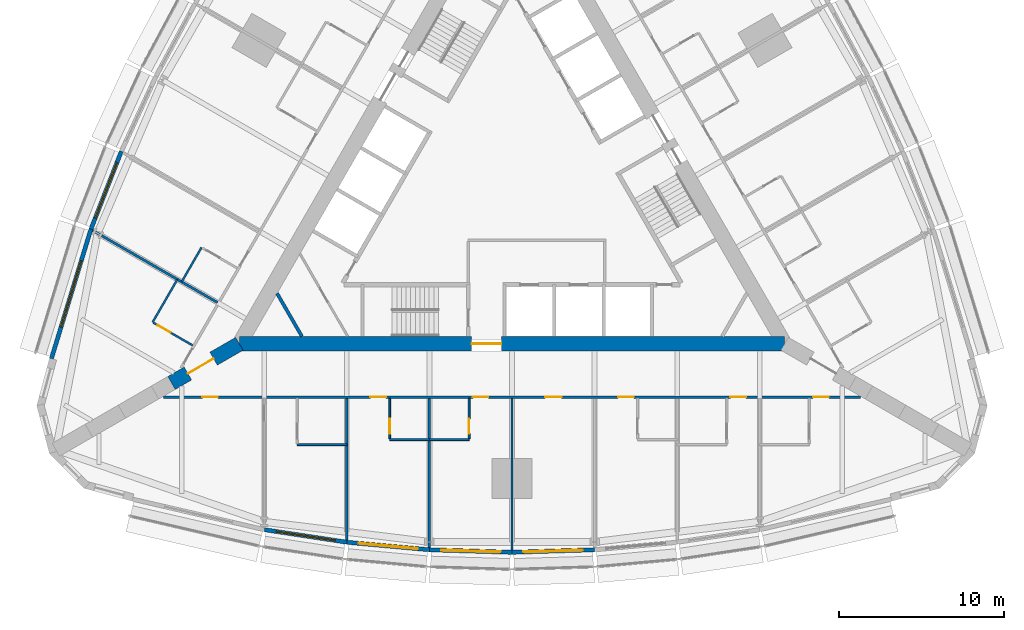
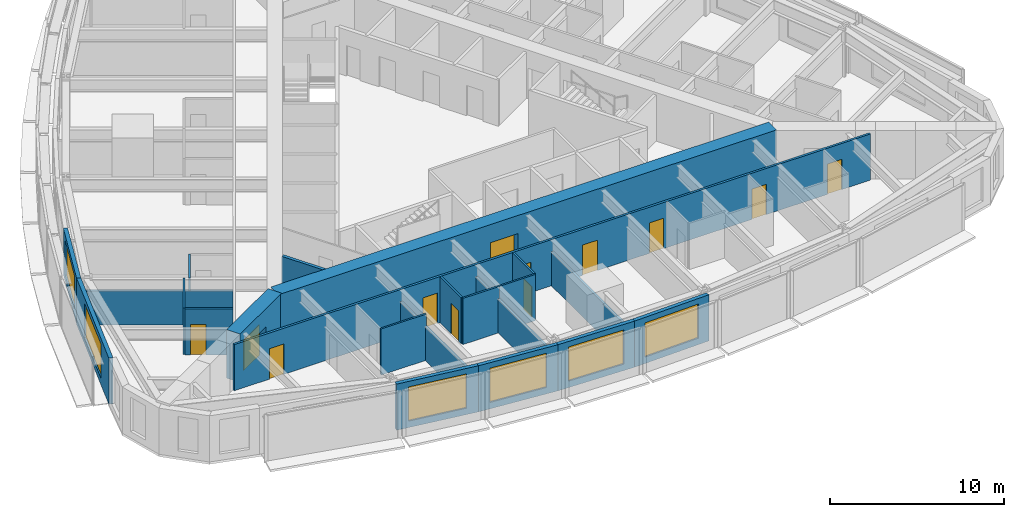
# One storey, part 8 of 14: 22 walls, 12 doors, 6 windows, 18 openings.
"""IFC4 building model written with IfcOpenShell, lengths in metres."""

import ifcopenshell
import ifcopenshell.guid

model = None  # the IFC model being written
_history = None  # IfcOwnerHistory: only IFC2X3 demands one
_inside = {}  # id of a spatial element -> (the spatial element, [elements in it])
_under = {}  # id of a project, library or spatial element -> (it, [spatial elements below it])
_declared = {}  # id of a project -> (the project, [libraries it declares])
_typed = {}  # id of a type object -> (the type object, [elements of that type])
_made_of = {}  # id of a material, layer set ... -> (it, [elements and type objects made of it])


def new_model(schema):
    """Start an empty IFC model of exactly this schema.

    Asked for "IFC4X3", IfcOpenShell would pick the latest addendum, in which some entities
    have other attributes; the version numbers below select the first issue.
    IFC2X3 requires an IfcOwnerHistory on every rooted entity: one is made here for all.
    """
    global model, _history
    if schema == "IFC4X3":
        model = ifcopenshell.file(schema_version=(4, 3, 0, 0))
    else:
        model = ifcopenshell.file(schema=schema)
    _inside.clear()
    _under.clear()
    _declared.clear()
    _typed.clear()
    _made_of.clear()
    _history = None
    if model.schema == "IFC2X3":
        org = make("IfcOrganization", Name="unknown")
        user = make(
            "IfcPersonAndOrganization",
            ThePerson=make("IfcPerson", FamilyName="unknown"),
            TheOrganization=org,
        )
        app = make(
            "IfcApplication",
            ApplicationDeveloper=org,
            Version="unknown",
            ApplicationFullName="unknown",
            ApplicationIdentifier="unknown",
        )
        _history = make(
            "IfcOwnerHistory",
            OwningUser=user,
            OwningApplication=app,
            ChangeAction="ADDED",
            CreationDate=0,
        )
    return model


def make(cls, **values):
    """One entity of the class cls with the attributes given. An attribute that is None is left unset."""
    return model.create_entity(
        cls, **{name: value for name, value in values.items() if value is not None}
    )


def rooted(cls, **values):
    """An entity with a GlobalId (a new one), such as an element, a storey or a relation."""
    return make(cls, GlobalId=ifcopenshell.guid.new(), OwnerHistory=_history, **values)


def si_unit(unit_type, name, prefix=None):
    """IfcSIUnit, for example si_unit("LENGTHUNIT", "METRE", prefix="MILLI")."""
    return make("IfcSIUnit", UnitType=unit_type, Prefix=prefix, Name=name)


def assignment(units):
    """IfcUnitAssignment: the units of a project."""
    return None if units is None else make("IfcUnitAssignment", Units=units)


def point(xyz):
    """IfcCartesianPoint."""
    return None if xyz is None else make("IfcCartesianPoint", Coordinates=xyz)


def direction(xyz):
    """IfcDirection."""
    return None if xyz is None else make("IfcDirection", DirectionRatios=xyz)


def frame(location, z_axis=None, x_axis=None):
    """IfcAxis2Placement3D, a coordinate frame: its origin and axes. An axis left out is left unset."""
    return make(
        "IfcAxis2Placement3D",
        Location=point(location),
        Axis=direction(z_axis),
        RefDirection=direction(x_axis),
    )


def frame_2d(location, x_axis=None):
    """IfcAxis2Placement2D, a coordinate frame in the plane: its origin and x axis."""
    return make(
        "IfcAxis2Placement2D", Location=point(location), RefDirection=direction(x_axis)
    )


def origin():
    """The frame at (0, 0, 0) with its axes left unset."""
    return frame((0.0, 0.0, 0.0))


def place(relative_to, where):
    """IfcLocalPlacement: puts the frame where relative to a parent placement (None: the world)."""
    return make(
        "IfcLocalPlacement", PlacementRelTo=relative_to, RelativePlacement=where
    )


def context(
    kind, dimensions, precision=None, world=None, true_north=None, identifier=None
):
    """IfcGeometricRepresentationContext, for example the 3D "Model" context."""
    return make(
        "IfcGeometricRepresentationContext",
        ContextIdentifier=identifier,
        ContextType=kind,
        CoordinateSpaceDimension=dimensions,
        Precision=precision,
        WorldCoordinateSystem=world,
        TrueNorth=true_north,
    )


def subcontext(parent, identifier, kind, view, scale=None):
    """IfcGeometricRepresentationSubContext, for example "Body" below "Model"."""
    return make(
        "IfcGeometricRepresentationSubContext",
        ContextIdentifier=identifier,
        ContextType=kind,
        ParentContext=parent,
        TargetScale=scale,
        TargetView=view,
    )


def project(units=None, contexts=None):
    """IfcProject with its units and contexts."""
    return rooted(
        "IfcProject",
        Name="project",
        RepresentationContexts=contexts,
        UnitsInContext=assignment(units),
    )


def spatial(cls, under=None, at=None, **own):
    """A site, building, storey or space (cls), placed at a placement, below another one or the project."""
    s = rooted(cls, ObjectPlacement=at, **own)
    if under is not None:
        _under.setdefault(under.id(), (under, []))[1].append(s)
    return s


def profile(cls, at=None, kind="AREA", **sizes):
    """A parametric profile (cls). Its sizes go by their IFC names, for example OverallWidth=200.0."""
    return make(cls, ProfileType=kind, Position=at, **sizes)


def rectangle(**sizes):
    """IfcRectangleProfileDef."""
    return profile("IfcRectangleProfileDef", **sizes)


def extrude(swept, where, along, depth):
    """IfcExtrudedAreaSolid: the profile swept, set in the frame where, extruded along a direction by depth."""
    return make(
        "IfcExtrudedAreaSolid",
        SweptArea=swept,
        Position=where,
        ExtrudedDirection=direction(along),
        Depth=depth,
    )


def shape(context_of_items, identifier, shape_type, items):
    """IfcShapeRepresentation: the items that make up one representation, for example the "Body"."""
    return make(
        "IfcShapeRepresentation",
        ContextOfItems=context_of_items,
        RepresentationIdentifier=identifier,
        RepresentationType=shape_type,
        Items=items,
    )


def material(Name=None, Category=None):
    """IfcMaterial."""
    return make("IfcMaterial", Name=Name, Category=Category)


def layer(
    of_material, thickness, ventilated=None, Name=None, Category=None, Priority=None
):
    """IfcMaterialLayer: one layer of a wall or slab, of a material (None: an air gap)."""
    return make(
        "IfcMaterialLayer",
        Material=of_material,
        LayerThickness=thickness,
        IsVentilated=ventilated,
        Name=Name,
        Category=Category,
        Priority=Priority,
    )


def layer_set(layers, Name=None):
    """IfcMaterialLayerSet."""
    return make("IfcMaterialLayerSet", MaterialLayers=layers, LayerSetName=Name)


def made_of(thing, what):
    """Note that an element or type object is made of a material, layer set ...; save() writes the relation."""
    if what is not None:
        _made_of.setdefault(what.id(), (what, []))[1].append(thing)
    return thing


def type_object(cls, material=None, **own):
    """A type object (cls), such as IfcWallType, which elements share."""
    return made_of(rooted(cls, **own), material)


def element(
    cls,
    number,
    at=None,
    inside=None,
    cuts=None,
    type_object=None,
    material=None,
    context=None,
    identifier="Body",
    shape_type=None,
    held_by="IfcProductDefinitionShape",
    body=None,
    shapes=None,
    **own,
):
    """One element of the class cls, such as IfcWall. Its Tag is "e" and its number.

    at: its placement. inside: the storey or other place that contains it. cuts: it is an
    opening in that element (IfcRelVoidsElement). A single representation is given by context,
    identifier, shape_type and body (its items); several are given by shapes. held_by: the class
    of the entity that holds the representations. save() writes the other relations.
    """
    e = rooted(cls, Tag="e%d" % number, ObjectPlacement=at, **own)
    if body is not None:
        shapes = [shape(context, identifier, shape_type, body)]
    if shapes is not None:
        e.Representation = make(held_by, Representations=shapes)
    if inside is not None:
        _inside.setdefault(inside.id(), (inside, []))[1].append(e)
    if cuts is not None:
        rooted(
            "IfcRelVoidsElement", RelatingBuildingElement=cuts, RelatedOpeningElement=e
        )
    if type_object is not None:
        _typed.setdefault(type_object.id(), (type_object, []))[1].append(e)
    return made_of(e, material)


def fill(opening, filler):
    """IfcRelFillsElement: the door or window that sits in an opening."""
    return rooted(
        "IfcRelFillsElement",
        RelatingOpeningElement=opening,
        RelatedBuildingElement=filler,
    )


def aggregate(whole, parts):
    """IfcRelAggregates: a whole, such as a stair, and the parts it consists of."""
    return rooted("IfcRelAggregates", RelatingObject=whole, RelatedObjects=parts)


def save(model, path):
    """Write the relations noted so far, then the file.

    IfcRelAggregates (storeys below a building ...), IfcRelContainedInSpatialStructure (elements
    in a storey), IfcRelDefinesByType, IfcRelAssociatesMaterial and IfcRelDeclares: one each for
    every whole, place, type object, material and project.
    """
    for whole, parts in _under.values():
        aggregate(whole, parts)
    for where, things in _inside.values():
        rooted(
            "IfcRelContainedInSpatialStructure",
            RelatedElements=things,
            RelatingStructure=where,
        )
    for kind, things in _typed.values():
        rooted("IfcRelDefinesByType", RelatedObjects=things, RelatingType=kind)
    for what, things in _made_of.values():
        rooted("IfcRelAssociatesMaterial", RelatedObjects=things, RelatingMaterial=what)
    for by, libraries in _declared.values():
        rooted("IfcRelDeclares", RelatingContext=by, RelatedDefinitions=libraries)
    model.write(path)


model = new_model("IFC4")

# Units and contexts
model_context = context("Model", 3, precision=1e-05, world=origin(), true_north=direction((0.0, 1.0)))
body_context = subcontext(model_context, "Body", "Model", "MODEL_VIEW")
ifc_project = project(units=[si_unit("LENGTHUNIT", "METRE"), si_unit("AREAUNIT", "SQUARE_METRE"), si_unit("VOLUMEUNIT", "CUBIC_METRE"), si_unit("PLANEANGLEUNIT", "RADIAN"), si_unit("MASSUNIT", "GRAM", prefix="KILO")], contexts=[model_context])

# Site, building, storey
site_placement = place(None, origin())
site = spatial("IfcSite", under=ifc_project, at=site_placement, CompositionType="ELEMENT")
building_placement = place(site_placement, origin())
building = spatial("IfcBuilding", under=site, at=building_placement, Name="Trikona Tower", CompositionType="ELEMENT")
storey_placement = place(building_placement, frame((0.0, 0.0, 28.5)))
storey = spatial("IfcBuildingStorey", under=building, at=storey_placement, Name="L05", CompositionType="ELEMENT", Elevation=28.5)

# Walls
ifc_material_1 = material(Name="Metal stud and cement board", Category="gypsum")
ifc_layer_1 = layer(ifc_material_1, 0.1201171875)
ifc_layer_set_1 = layer_set([ifc_layer_1], Name="Bathroom wall 120")
wall_type_1 = type_object("IfcWallType", Name="Bathroom wall 120", PredefinedType="PLUMBINGWALL", material=ifc_layer_set_1)
wall_1_placement = place(storey_placement, frame((-13.0, -15.626220703125, 0.0), z_axis=(0.0, 0.0, 1.0), x_axis=(1.0, 0.0, 0.0)))
element("IfcWall", 1, at=wall_1_placement, inside=storey, type_object=wall_type_1, Name="Bathroom wall 0501.1", PredefinedType="PLUMBINGWALL", context=body_context, shape_type="SweptSolid", body=[
    extrude(rectangle(XDim=3.0, YDim=0.1201171875, at=frame_2d((1.5, 0.0))), origin(), (0.0, 0.0, 1.0), 3.235107421875),
])
wall_2_placement = place(storey_placement, frame((-7.39990234375, -15.326416015625, 0.0), z_axis=(0.0, 0.0, 1.0), x_axis=(1.0, 0.0, 0.0)))
element("IfcWall", 2, at=wall_2_placement, inside=storey, type_object=wall_type_1, Name="Bathroom wall 0502", PredefinedType="PLUMBINGWALL", context=body_context, shape_type="SweptSolid", body=[
    extrude(rectangle(XDim=2.39990234375, YDim=0.1201171875, at=frame_2d((1.199951171875, 0.0))), origin(), (0.0, 0.0, 1.0), 3.235107421875),
])

# Wall, opening, door
wall_3_placement = place(storey_placement, frame((-7.39990234375, -12.826416015625, 0.0), z_axis=(0.0, 0.0, 1.0), x_axis=(0.0, -1.0, 0.0)))
wall_3 = element("IfcWall", 3, at=wall_3_placement, inside=storey, type_object=wall_type_1, Name="Bathroom wall 0502", PredefinedType="PLUMBINGWALL", context=body_context, shape_type="SweptSolid", body=[
    extrude(rectangle(XDim=2.43994140625, YDim=0.1201171875, at=frame_2d((1.219970703125, 0.0))), origin(), (0.0, 0.0, 1.0), 3.235107421875),
])
opening_1_placement = place(wall_3_placement, frame((1.25, 0.0, 0.0)))
opening_1 = element("IfcOpeningElement", 4, at=opening_1_placement, cuts=wall_3, Name="Opening D2", PredefinedType="OPENING", context=body_context, shape_type="SweptSolid", body=[
    extrude(rectangle(XDim=0.89990234375, YDim=2.1298828125, at=frame_2d((0.449951171875, 1.06494140625))), frame((0.0, 0.070068359375, 0.0), z_axis=(0.0, -1.0, 0.0), x_axis=(1.0, 0.0, 0.0)), (0.0, 0.0, 1.0), 0.14013671875),
])
ifc_material_2 = material(Name="Steel door frame with solid-core timber leaf", Category="steel")
door_type_1 = type_object("IfcDoorType", Name="Bathroom door 900x2130", OperationType="SLIDING_TO_LEFT", PredefinedType="DOOR", material=ifc_material_2)
door_1_placement = place(opening_1_placement, origin())
door_1 = element("IfcDoor", 5, at=door_1_placement, inside=storey, type_object=door_type_1, Name="Bathroom door 0502", OperationType="SLIDING_TO_LEFT", OverallHeight=2.1298828125, OverallWidth=0.89990234375, PredefinedType="DOOR", context=body_context, shape_type="SweptSolid", body=[
    extrude(rectangle(XDim=0.89990234375, YDim=2.1298828125, at=frame_2d((0.449951171875, 1.06494140625))), frame((0.0, 0.02490234375, 0.0), z_axis=(0.0, -1.0, 0.0), x_axis=(1.0, 0.0, 0.0)), (0.0, 0.0, 1.0), 0.050048828125),
])
fill(opening_1, door_1)

# Wall
wall_4_placement = place(storey_placement, frame((-5.0, -15.326416015625, 0.0), z_axis=(0.0, 0.0, 1.0), x_axis=(1.0, 0.0, 0.0)))
element("IfcWall", 6, at=wall_4_placement, inside=storey, type_object=wall_type_1, Name="Bathroom wall 0503", PredefinedType="PLUMBINGWALL", context=body_context, shape_type="SweptSolid", body=[
    extrude(rectangle(XDim=2.39990234375, YDim=0.1201171875, at=frame_2d((1.199951171875, 0.0))), origin(), (0.0, 0.0, 1.0), 3.235107421875),
])

# Wall, opening, door
wall_5_placement = place(storey_placement, frame((-2.60009765625, -12.826416015625, 0.0), z_axis=(0.0, 0.0, 1.0), x_axis=(0.0, -1.0, 0.0)))
wall_5 = element("IfcWall", 7, at=wall_5_placement, inside=storey, type_object=wall_type_1, Name="Bathroom wall 0503", PredefinedType="PLUMBINGWALL", context=body_context, shape_type="SweptSolid", body=[
    extrude(rectangle(XDim=2.43994140625, YDim=0.1201171875, at=frame_2d((1.219970703125, 0.0))), origin(), (0.0, 0.0, 1.0), 3.235107421875),
])
opening_2_placement = place(wall_5_placement, frame((1.25, 0.0, 0.0)))
opening_2 = element("IfcOpeningElement", 8, at=opening_2_placement, cuts=wall_5, Name="Opening D2", PredefinedType="OPENING", context=body_context, shape_type="SweptSolid", body=[
    extrude(rectangle(XDim=0.89990234375, YDim=2.1298828125, at=frame_2d((0.449951171875, 1.06494140625))), frame((0.0, 0.070068359375, 0.0), z_axis=(0.0, -1.0, 0.0), x_axis=(1.0, 0.0, 0.0)), (0.0, 0.0, 1.0), 0.14013671875),
])
door_2_placement = place(opening_2_placement, origin())
door_2 = element("IfcDoor", 9, at=door_2_placement, inside=storey, type_object=door_type_1, Name="Bathroom door 0503", OperationType="SLIDING_TO_LEFT", OverallHeight=2.1298828125, OverallWidth=0.89990234375, PredefinedType="DOOR", context=body_context, shape_type="SweptSolid", body=[
    extrude(rectangle(XDim=0.89990234375, YDim=2.1298828125, at=frame_2d((0.449951171875, 1.06494140625))), frame((0.0, 0.02490234375, 0.0), z_axis=(0.0, -1.0, 0.0), x_axis=(1.0, 0.0, 0.0)), (0.0, 0.0, 1.0), 0.050048828125),
])
fill(opening_2, door_2)

# Walls
wall_6_placement = place(storey_placement, frame((-18.79345703125, -3.69873046875, 0.0), z_axis=(0.0, 0.0, 1.0), x_axis=(-0.500001309137, -0.866024647952, 0.0)))
element("IfcWall", 10, at=wall_6_placement, inside=storey, type_object=wall_type_1, Name="Bathroom wall 0517", PredefinedType="PLUMBINGWALL", context=body_context, shape_type="SweptSolid", body=[
    extrude(rectangle(XDim=2.39990234375, YDim=0.1201171875, at=frame_2d((1.199951171875, 0.0))), origin(), (0.0, 0.0, 1.0), 3.235107421875),
])
wall_7_placement = place(storey_placement, frame((-20.25341796875, -5.627197265625, 0.0), z_axis=(0.0, 0.0, 1.0), x_axis=(-0.499990139034, -0.866031096941, 0.0)))
element("IfcWall", 11, at=wall_7_placement, inside=storey, type_object=wall_type_1, Name="Bathroom wall 0518", PredefinedType="PLUMBINGWALL", context=body_context, shape_type="SweptSolid", body=[
    extrude(rectangle(XDim=3.0, YDim=0.1201171875, at=frame_2d((1.5, 0.0))), origin(), (0.0, 0.0, 1.0), 3.235107421875),
])

# Wall, opening, door
wall_8_placement = place(storey_placement, frame((-19.32861328125, -9.625244140625, 0.0), z_axis=(0.0, 0.0, 1.0), x_axis=(-0.866035715982, 0.499982138324, 0.0)))
wall_8 = element("IfcWall", 12, at=wall_8_placement, inside=storey, type_object=wall_type_1, Name="Bathroom wall 0518", PredefinedType="PLUMBINGWALL", context=body_context, shape_type="SweptSolid", body=[
    extrude(rectangle(XDim=2.73974609375, YDim=0.1201171875, at=frame_2d((1.369873046875, 0.0))), origin(), (0.0, 0.0, 1.0), 3.235107421875),
])
opening_3_placement = place(wall_8_placement, frame((1.550048828125, 0.0, 0.0)))
opening_3 = element("IfcOpeningElement", 13, at=opening_3_placement, cuts=wall_8, Name="Opening D2", PredefinedType="OPENING", context=body_context, shape_type="SweptSolid", body=[
    extrude(rectangle(XDim=0.89990234375, YDim=2.1298828125, at=frame_2d((0.449951171875, 1.06494140625))), frame((0.0, 0.070068359375, 0.0), z_axis=(0.0, -1.0, 0.0), x_axis=(1.0, 0.0, 0.0)), (0.0, 0.0, 1.0), 0.14013671875),
])
door_3_placement = place(opening_3_placement, origin())
door_3 = element("IfcDoor", 14, at=door_3_placement, inside=storey, type_object=door_type_1, Name="Bathroom door 0518", OperationType="SLIDING_TO_LEFT", OverallHeight=2.1298828125, OverallWidth=0.89990234375, PredefinedType="DOOR", context=body_context, shape_type="SweptSolid", body=[
    extrude(rectangle(XDim=0.89990234375, YDim=2.1298828125, at=frame_2d((0.449951171875, 1.06494140625))), frame((0.0, 0.02490234375, 0.0), z_axis=(0.0, -1.0, 0.0), x_axis=(1.0, 0.0, 0.0)), (0.0, 0.0, 1.0), 0.050048828125),
])
fill(opening_3, door_3)

ifc_material_3 = material(Name="Concrete f'c 10000 psi", Category="concrete")
ifc_layer_2 = layer(ifc_material_3, 0.89990234375)
ifc_layer_set_2 = layer_set([ifc_layer_2], Name="Buttress wall 900")
wall_type_2 = type_object("IfcWallType", Name="Buttress wall 900", PredefinedType="SHEAR", material=ifc_layer_set_2)
wall_9_placement = place(storey_placement, frame((-16.5, -9.5263671875, 0.0), z_axis=(0.0, 0.0, 1.0), x_axis=(-0.866031398331, -0.499989616998, 0.0)))
wall_9 = element("IfcWall", 15, at=wall_9_placement, inside=storey, type_object=wall_type_2, Name="Buttress wall 3", PredefinedType="SHEAR", context=body_context, shape_type="SweptSolid", body=[
    extrude(rectangle(XDim=4.74609375, YDim=0.89990234375, at=frame_2d((2.373046875, 0.0))), origin(), (0.0, 0.0, 1.0), 3.39990234375),
])
opening_4_placement = place(wall_9_placement, frame((1.800048828125, 0.0, 0.0)))
opening_4 = element("IfcOpeningElement", 16, at=opening_4_placement, cuts=wall_9, Name="Opening D10", PredefinedType="OPENING", context=body_context, shape_type="SweptSolid", body=[
    extrude(rectangle(XDim=1.800048828125, YDim=2.1298828125, at=frame_2d((0.89990234375, 1.06494140625))), frame((0.0, 0.4599609375, 0.0), z_axis=(0.0, -1.0, 0.0), x_axis=(1.0, 0.0, 0.0)), (0.0, 0.0, 1.0), 0.919921875),
])
ifc_material_4 = material(Name="Hollow metal door and frame", Category="steel")
door_type_2 = type_object("IfcDoorType", Name="Cross-corridor door pair 1800x2130", OperationType="DOUBLE_DOOR_DOUBLE_SWING", PredefinedType="DOOR", material=ifc_material_4)
door_4_placement = place(opening_4_placement, origin())
door_4 = element("IfcDoor", 17, at=door_4_placement, inside=storey, type_object=door_type_2, Name="Cross-corridor door 3", OperationType="DOUBLE_DOOR_DOUBLE_SWING", OverallHeight=2.1298828125, OverallWidth=1.800048828125, PredefinedType="DOOR", context=body_context, shape_type="SweptSolid", body=[
    extrude(rectangle(XDim=1.800048828125, YDim=2.1298828125, at=frame_2d((0.89990234375, 1.06494140625))), frame((0.0, 0.02490234375, 0.0), z_axis=(0.0, -1.0, 0.0), x_axis=(1.0, 0.0, 0.0)), (0.0, 0.0, 1.0), 0.050048828125),
])
fill(opening_4, door_4)

ifc_material_5 = material(Name="Concrete f'c 10000 psi", Category="concrete")
ifc_layer_3 = layer(ifc_material_5, 0.89990234375)
ifc_layer_set_3 = layer_set([ifc_layer_3], Name="Core wall 900")
wall_type_3 = type_object("IfcWallType", Name="Core wall 900", PredefinedType="SHEAR", material=ifc_layer_set_3)
wall_10_placement = place(storey_placement, frame((-16.5, -9.5263671875, 0.0), z_axis=(0.0, 0.0, 1.0), x_axis=(1.0, 0.0, 0.0)))
wall_10 = element("IfcWall", 18, at=wall_10_placement, inside=storey, type_object=wall_type_3, Name="Core wall A", PredefinedType="SHEAR", context=body_context, shape_type="SweptSolid", body=[
    extrude(rectangle(XDim=33.0, YDim=0.89990234375, at=frame_2d((16.5, 0.0))), origin(), (0.0, 0.0, 1.0), 3.39990234375),
])
opening_5_placement = place(wall_10_placement, frame((14.050048828125, 0.0, 0.0)))
opening_5 = element("IfcOpeningElement", 19, at=opening_5_placement, cuts=wall_10, Name="Opening D6", PredefinedType="OPENING", context=body_context, shape_type="SweptSolid", body=[
    extrude(rectangle(XDim=1.800048828125, YDim=2.1298828125, at=frame_2d((0.89990234375, 1.06494140625))), frame((0.0, 0.4599609375, 0.0), z_axis=(0.0, -1.0, 0.0), x_axis=(1.0, 0.0, 0.0)), (0.0, 0.0, 1.0), 0.919921875),
])
ifc_material_6 = material(Name="Hollow metal door and frame", Category="steel")
door_type_3 = type_object("IfcDoorType", Name="Lobby door pair 1800x2130", OperationType="DOUBLE_DOOR_SINGLE_SWING", PredefinedType="DOOR", material=ifc_material_6)
door_5_placement = place(opening_5_placement, origin())
door_5 = element("IfcDoor", 20, at=door_5_placement, inside=storey, type_object=door_type_3, Name="Fire service lift lobby door", OperationType="DOUBLE_DOOR_SINGLE_SWING", OverallHeight=2.1298828125, OverallWidth=1.800048828125, PredefinedType="DOOR", context=body_context, shape_type="SweptSolid", body=[
    extrude(rectangle(XDim=1.800048828125, YDim=2.1298828125, at=frame_2d((0.89990234375, 1.06494140625))), frame((0.0, 0.02490234375, 0.0), z_axis=(0.0, -1.0, 0.0), x_axis=(1.0, 0.0, 0.0)), (0.0, 0.0, 1.0), 0.050048828125),
])
fill(opening_5, door_5)

# Wall, openings, doors
ifc_material_7 = material(Name="Metal stud and gypsum board, 1-hour", Category="gypsum")
ifc_layer_4 = layer(ifc_material_7, 0.14990234375)
ifc_layer_set_4 = layer_set([ifc_layer_4], Name="Corridor wall 150")
wall_type_4 = type_object("IfcWallType", Name="Corridor wall 150", PredefinedType="PARTITIONING", material=ifc_layer_set_4)
wall_11_placement = place(storey_placement, frame((-21.0859375, -12.751220703125, 0.0), z_axis=(0.0, 0.0, 1.0), x_axis=(1.0, 0.0, 0.0)))
wall_11 = element("IfcWall", 21, at=wall_11_placement, inside=storey, type_object=wall_type_4, Name="Corridor wall L05-1", PredefinedType="PARTITIONING", context=body_context, shape_type="SweptSolid", body=[
    extrude(rectangle(XDim=42.171875, YDim=0.14990234375, at=frame_2d((21.0859375, 0.0))), origin(), (0.0, 0.0, 1.0), 3.235107421875),
])
opening_6_placement = place(wall_11_placement, frame((2.337646484375, 0.0, 0.0)))
opening_6 = element("IfcOpeningElement", 22, at=opening_6_placement, cuts=wall_11, Name="Opening D1", PredefinedType="OPENING", context=body_context, shape_type="SweptSolid", body=[
    extrude(rectangle(XDim=0.949951171875, YDim=2.1298828125, at=frame_2d((0.47509765625, 1.06494140625))), frame((0.0, 0.0849609375, 0.0), z_axis=(0.0, -1.0, 0.0), x_axis=(1.0, 0.0, 0.0)), (0.0, 0.0, 1.0), 0.169921875),
])
opening_7_placement = place(wall_11_placement, frame((12.510986328125, 0.0, 0.0)))
opening_7 = element("IfcOpeningElement", 23, at=opening_7_placement, cuts=wall_11, Name="Opening D1", PredefinedType="OPENING", context=body_context, shape_type="SweptSolid", body=[
    extrude(rectangle(XDim=0.949951171875, YDim=2.1298828125, at=frame_2d((0.47509765625, 1.06494140625))), frame((0.0, 0.0849609375, 0.0), z_axis=(0.0, -1.0, 0.0), x_axis=(1.0, 0.0, 0.0)), (0.0, 0.0, 1.0), 0.169921875),
])
opening_8_placement = place(wall_11_placement, frame((18.7109375, 0.0, 0.0)))
opening_8 = element("IfcOpeningElement", 24, at=opening_8_placement, cuts=wall_11, Name="Opening D1", PredefinedType="OPENING", context=body_context, shape_type="SweptSolid", body=[
    extrude(rectangle(XDim=0.949951171875, YDim=2.1298828125, at=frame_2d((0.47509765625, 1.06494140625))), frame((0.0, 0.0849609375, 0.0), z_axis=(0.0, -1.0, 0.0), x_axis=(1.0, 0.0, 0.0)), (0.0, 0.0, 1.0), 0.169921875),
])
opening_9_placement = place(wall_11_placement, frame((23.0859375, 0.0, 0.0)))
opening_9 = element("IfcOpeningElement", 25, at=opening_9_placement, cuts=wall_11, Name="Opening D3", PredefinedType="OPENING", context=body_context, shape_type="SweptSolid", body=[
    extrude(rectangle(XDim=1.0, YDim=2.1298828125, at=frame_2d((0.5, 1.06494140625))), frame((0.0, 0.0849609375, 0.0), z_axis=(0.0, -1.0, 0.0), x_axis=(1.0, 0.0, 0.0)), (0.0, 0.0, 1.0), 0.169921875),
])
opening_10_placement = place(wall_11_placement, frame((27.510986328125, 0.0, 0.0)))
opening_10 = element("IfcOpeningElement", 26, at=opening_10_placement, cuts=wall_11, Name="Opening D1", PredefinedType="OPENING", context=body_context, shape_type="SweptSolid", body=[
    extrude(rectangle(XDim=0.949951171875, YDim=2.1298828125, at=frame_2d((0.47509765625, 1.06494140625))), frame((0.0, 0.0849609375, 0.0), z_axis=(0.0, -1.0, 0.0), x_axis=(1.0, 0.0, 0.0)), (0.0, 0.0, 1.0), 0.169921875),
])
opening_11_placement = place(wall_11_placement, frame((34.310791015625, 0.0, 0.0)))
opening_11 = element("IfcOpeningElement", 27, at=opening_11_placement, cuts=wall_11, Name="Opening D1", PredefinedType="OPENING", context=body_context, shape_type="SweptSolid", body=[
    extrude(rectangle(XDim=0.949951171875, YDim=2.1298828125, at=frame_2d((0.47509765625, 1.06494140625))), frame((0.0, 0.0849609375, 0.0), z_axis=(0.0, -1.0, 0.0), x_axis=(1.0, 0.0, 0.0)), (0.0, 0.0, 1.0), 0.169921875),
])
opening_12_placement = place(wall_11_placement, frame((39.310791015625, 0.0, 0.0)))
opening_12 = element("IfcOpeningElement", 28, at=opening_12_placement, cuts=wall_11, Name="Opening D1", PredefinedType="OPENING", context=body_context, shape_type="SweptSolid", body=[
    extrude(rectangle(XDim=0.949951171875, YDim=2.1298828125, at=frame_2d((0.47509765625, 1.06494140625))), frame((0.0, 0.0849609375, 0.0), z_axis=(0.0, -1.0, 0.0), x_axis=(1.0, 0.0, 0.0)), (0.0, 0.0, 1.0), 0.169921875),
])
ifc_material_8 = material(Name="Steel door frame with solid-core timber leaf", Category="steel")
door_type_4 = type_object("IfcDoorType", Name="Guest room door 950x2130", OperationType="SINGLE_SWING_LEFT", PredefinedType="DOOR", material=ifc_material_8)
door_6_placement = place(opening_6_placement, origin())
door_6 = element("IfcDoor", 29, at=door_6_placement, inside=storey, type_object=door_type_4, Name="Room door 0501", OperationType="SINGLE_SWING_LEFT", OverallHeight=2.1298828125, OverallWidth=0.949951171875, PredefinedType="DOOR", context=body_context, shape_type="SweptSolid", body=[
    extrude(rectangle(XDim=0.949951171875, YDim=2.1298828125, at=frame_2d((0.47509765625, 1.06494140625))), frame((0.0, 0.02490234375, 0.0), z_axis=(0.0, -1.0, 0.0), x_axis=(1.0, 0.0, 0.0)), (0.0, 0.0, 1.0), 0.050048828125),
])
fill(opening_6, door_6)
door_7_placement = place(opening_7_placement, origin())
door_7 = element("IfcDoor", 30, at=door_7_placement, inside=storey, type_object=door_type_4, Name="Room door 0502", OperationType="SINGLE_SWING_RIGHT", OverallHeight=2.1298828125, OverallWidth=0.949951171875, PredefinedType="DOOR", context=body_context, shape_type="SweptSolid", body=[
    extrude(rectangle(XDim=0.949951171875, YDim=2.1298828125, at=frame_2d((0.47509765625, 1.06494140625))), frame((0.0, 0.02490234375, 0.0), z_axis=(0.0, -1.0, 0.0), x_axis=(1.0, 0.0, 0.0)), (0.0, 0.0, 1.0), 0.050048828125),
])
fill(opening_7, door_7)
door_8_placement = place(opening_8_placement, origin())
door_8 = element("IfcDoor", 31, at=door_8_placement, inside=storey, type_object=door_type_4, Name="Room door 0503", OperationType="SINGLE_SWING_LEFT", OverallHeight=2.1298828125, OverallWidth=0.949951171875, PredefinedType="DOOR", context=body_context, shape_type="SweptSolid", body=[
    extrude(rectangle(XDim=0.949951171875, YDim=2.1298828125, at=frame_2d((0.47509765625, 1.06494140625))), frame((0.0, 0.02490234375, 0.0), z_axis=(0.0, -1.0, 0.0), x_axis=(1.0, 0.0, 0.0)), (0.0, 0.0, 1.0), 0.050048828125),
])
fill(opening_8, door_8)
door_9_placement = place(opening_10_placement, origin())
door_9 = element("IfcDoor", 32, at=door_9_placement, inside=storey, type_object=door_type_4, Name="Room door 0504", OperationType="SINGLE_SWING_LEFT", OverallHeight=2.1298828125, OverallWidth=0.949951171875, PredefinedType="DOOR", context=body_context, shape_type="SweptSolid", body=[
    extrude(rectangle(XDim=0.949951171875, YDim=2.1298828125, at=frame_2d((0.47509765625, 1.06494140625))), frame((0.0, 0.02490234375, 0.0), z_axis=(0.0, -1.0, 0.0), x_axis=(1.0, 0.0, 0.0)), (0.0, 0.0, 1.0), 0.050048828125),
])
fill(opening_10, door_9)
door_10_placement = place(opening_11_placement, origin())
door_10 = element("IfcDoor", 33, at=door_10_placement, inside=storey, type_object=door_type_4, Name="Room door 0505", OperationType="SINGLE_SWING_RIGHT", OverallHeight=2.1298828125, OverallWidth=0.949951171875, PredefinedType="DOOR", context=body_context, shape_type="SweptSolid", body=[
    extrude(rectangle(XDim=0.949951171875, YDim=2.1298828125, at=frame_2d((0.47509765625, 1.06494140625))), frame((0.0, 0.02490234375, 0.0), z_axis=(0.0, -1.0, 0.0), x_axis=(1.0, 0.0, 0.0)), (0.0, 0.0, 1.0), 0.050048828125),
])
fill(opening_11, door_10)
door_11_placement = place(opening_12_placement, origin())
door_11 = element("IfcDoor", 34, at=door_11_placement, inside=storey, type_object=door_type_4, Name="Room door 0506", OperationType="SINGLE_SWING_RIGHT", OverallHeight=2.1298828125, OverallWidth=0.949951171875, PredefinedType="DOOR", context=body_context, shape_type="SweptSolid", body=[
    extrude(rectangle(XDim=0.949951171875, YDim=2.1298828125, at=frame_2d((0.47509765625, 1.06494140625))), frame((0.0, 0.02490234375, 0.0), z_axis=(0.0, -1.0, 0.0), x_axis=(1.0, 0.0, 0.0)), (0.0, 0.0, 1.0), 0.050048828125),
])
fill(opening_12, door_11)
ifc_material_9 = material(Name="Steel door frame with solid-core timber leaf", Category="steel")
door_type_5 = type_object("IfcDoorType", Name="Room door 1000x2130", OperationType="SINGLE_SWING_LEFT", PredefinedType="DOOR", material=ifc_material_9)
door_12_placement = place(opening_9_placement, origin())
door_12 = element("IfcDoor", 35, at=door_12_placement, inside=storey, type_object=door_type_5, Name="Door Housekeeping pantry", OperationType="SINGLE_SWING_RIGHT", OverallHeight=2.1298828125, OverallWidth=1.0, PredefinedType="DOOR", context=body_context, shape_type="SweptSolid", body=[
    extrude(rectangle(XDim=1.0, YDim=2.1298828125, at=frame_2d((0.5, 1.06494140625))), frame((0.0, 0.02490234375, 0.0), z_axis=(0.0, -1.0, 0.0), x_axis=(1.0, 0.0, 0.0)), (0.0, 0.0, 1.0), 0.050048828125),
])
fill(opening_9, door_12)

# Wall, opening, window
ifc_material_10 = material(Name="Insulated precast concrete spandrel panel", Category="concrete")
ifc_layer_5 = layer(ifc_material_10, 0.25)
ifc_layer_set_5 = layer_set([ifc_layer_5], Name="Inner skin wall 250")
wall_type_5 = type_object("IfcWallType", Name="Inner skin wall 250", PredefinedType="STANDARD", material=ifc_layer_set_5)
wall_12_placement = place(storey_placement, frame((-14.981201171875, -20.779296875, 0.0), z_axis=(0.0, 0.0, 1.0), x_axis=(0.988615403399, -0.150464561152, 0.0)))
wall_12 = element("IfcWall", 36, at=wall_12_placement, inside=storey, type_object=wall_type_5, Name="External wall L05-01", PredefinedType="STANDARD", context=body_context, shape_type="SweptSolid", body=[
    extrude(rectangle(XDim=5.0576171875, YDim=0.25, at=frame_2d((2.52880859375, 0.0))), origin(), (0.0, 0.0, 1.0), 3.235107421875),
])
opening_13_placement = place(wall_12_placement, frame((0.728759765625, 0.0, 0.449951171875)))
opening_13 = element("IfcOpeningElement", 37, at=opening_13_placement, cuts=wall_12, Name="Opening W3624", PredefinedType="OPENING", context=body_context, shape_type="SweptSolid", body=[
    extrude(rectangle(XDim=3.60009765625, YDim=2.39990234375, at=frame_2d((1.800048828125, 1.199951171875))), frame((0.0, 0.135009765625, 0.0), z_axis=(0.0, -1.0, 0.0), x_axis=(1.0, 0.0, 0.0)), (0.0, 0.0, 1.0), 0.27001953125),
])
ifc_material_11 = material(Name="Aluminium-framed double glazing", Category="aluminium")
window_type_1 = type_object("IfcWindowType", Name="Window 3600x2400", PartitioningType="SINGLE_PANEL", PredefinedType="WINDOW", material=ifc_material_11)
window_1_placement = place(opening_13_placement, origin())
window_1 = element("IfcWindow", 38, at=window_1_placement, inside=storey, type_object=window_type_1, Name="Window 0501.1", OverallHeight=2.39990234375, OverallWidth=3.60009765625, PartitioningType="SINGLE_PANEL", PredefinedType="WINDOW", context=body_context, shape_type="SweptSolid", body=[
    extrude(rectangle(XDim=3.60009765625, YDim=2.39990234375, at=frame_2d((1.800048828125, 1.199951171875))), frame((0.0, 0.030029296875, 0.0), z_axis=(0.0, -1.0, 0.0), x_axis=(1.0, 0.0, 0.0)), (0.0, 0.0, 1.0), 0.06005859375),
])
fill(opening_13, window_1)

wall_13_placement = place(storey_placement, frame((-9.988525390625, -21.539306640625, 0.0), z_axis=(0.0, 0.0, 1.0), x_axis=(0.995857256774, -0.090930325692, 0.0)))
wall_13 = element("IfcWall", 39, at=wall_13_placement, inside=storey, type_object=wall_type_5, Name="External wall L05-02", PredefinedType="STANDARD", context=body_context, shape_type="SweptSolid", body=[
    extrude(rectangle(XDim=5.020751953125, YDim=0.25, at=frame_2d((2.51025390625, 0.0))), origin(), (0.0, 0.0, 1.0), 3.235107421875),
])
opening_14_placement = place(wall_13_placement, frame((0.71044921875, 0.0, 0.449951171875)))
opening_14 = element("IfcOpeningElement", 40, at=opening_14_placement, cuts=wall_13, Name="Opening W3624", PredefinedType="OPENING", context=body_context, shape_type="SweptSolid", body=[
    extrude(rectangle(XDim=3.60009765625, YDim=2.39990234375, at=frame_2d((1.800048828125, 1.199951171875))), frame((0.0, 0.135009765625, 0.0), z_axis=(0.0, -1.0, 0.0), x_axis=(1.0, 0.0, 0.0)), (0.0, 0.0, 1.0), 0.27001953125),
])
window_2_placement = place(opening_14_placement, origin())
window_2 = element("IfcWindow", 41, at=window_2_placement, inside=storey, type_object=window_type_1, Name="Window 0502", OverallHeight=2.39990234375, OverallWidth=3.60009765625, PartitioningType="SINGLE_PANEL", PredefinedType="WINDOW", context=body_context, shape_type="SweptSolid", body=[
    extrude(rectangle(XDim=3.60009765625, YDim=2.39990234375, at=frame_2d((1.800048828125, 1.199951171875))), frame((0.0, 0.030029296875, 0.0), z_axis=(0.0, -1.0, 0.0), x_axis=(1.0, 0.0, 0.0)), (0.0, 0.0, 1.0), 0.06005859375),
])
fill(opening_14, window_2)

wall_14_placement = place(storey_placement, frame((-4.99609375, -21.99560546875, 0.0), z_axis=(0.0, 0.0, 1.0), x_axis=(0.999537635046, -0.030405856769, 0.0)))
wall_14 = element("IfcWall", 42, at=wall_14_placement, inside=storey, type_object=wall_type_5, Name="External wall L05-03", PredefinedType="STANDARD", context=body_context, shape_type="SweptSolid", body=[
    extrude(rectangle(XDim=5.002197265625, YDim=0.25, at=frame_2d((2.5009765625, 0.0))), origin(), (0.0, 0.0, 1.0), 3.235107421875),
])
opening_15_placement = place(wall_14_placement, frame((0.701171875, 0.0, 0.449951171875)))
opening_15 = element("IfcOpeningElement", 43, at=opening_15_placement, cuts=wall_14, Name="Opening W3624", PredefinedType="OPENING", context=body_context, shape_type="SweptSolid", body=[
    extrude(rectangle(XDim=3.60009765625, YDim=2.39990234375, at=frame_2d((1.800048828125, 1.199951171875))), frame((0.0, 0.135009765625, 0.0), z_axis=(0.0, -1.0, 0.0), x_axis=(1.0, 0.0, 0.0)), (0.0, 0.0, 1.0), 0.27001953125),
])
window_3_placement = place(opening_15_placement, origin())
window_3 = element("IfcWindow", 44, at=window_3_placement, inside=storey, type_object=window_type_1, Name="Window 0503", OverallHeight=2.39990234375, OverallWidth=3.60009765625, PartitioningType="SINGLE_PANEL", PredefinedType="WINDOW", context=body_context, shape_type="SweptSolid", body=[
    extrude(rectangle(XDim=3.60009765625, YDim=2.39990234375, at=frame_2d((1.800048828125, 1.199951171875))), frame((0.0, 0.030029296875, 0.0), z_axis=(0.0, -1.0, 0.0), x_axis=(1.0, 0.0, 0.0)), (0.0, 0.0, 1.0), 0.06005859375),
])
fill(opening_15, window_3)

wall_15_placement = place(storey_placement, frame((-0.00390625, -22.147705078125, 0.0), z_axis=(0.0, 0.0, 1.0), x_axis=(0.999537635046, 0.030405856769, 0.0)))
wall_15 = element("IfcWall", 45, at=wall_15_placement, inside=storey, type_object=wall_type_5, Name="External wall L05-04", PredefinedType="STANDARD", context=body_context, shape_type="SweptSolid", body=[
    extrude(rectangle(XDim=5.002197265625, YDim=0.25, at=frame_2d((2.5009765625, 0.0))), origin(), (0.0, 0.0, 1.0), 3.235107421875),
])
opening_16_placement = place(wall_15_placement, frame((0.701171875, 0.0, 0.449951171875)))
opening_16 = element("IfcOpeningElement", 46, at=opening_16_placement, cuts=wall_15, Name="Opening W3624", PredefinedType="OPENING", context=body_context, shape_type="SweptSolid", body=[
    extrude(rectangle(XDim=3.60009765625, YDim=2.39990234375, at=frame_2d((1.800048828125, 1.199951171875))), frame((0.0, 0.135009765625, 0.0), z_axis=(0.0, -1.0, 0.0), x_axis=(1.0, 0.0, 0.0)), (0.0, 0.0, 1.0), 0.27001953125),
])
window_4_placement = place(opening_16_placement, origin())
window_4 = element("IfcWindow", 47, at=window_4_placement, inside=storey, type_object=window_type_1, Name="Window L05-HKP", OverallHeight=2.39990234375, OverallWidth=3.60009765625, PartitioningType="SINGLE_PANEL", PredefinedType="WINDOW", context=body_context, shape_type="SweptSolid", body=[
    extrude(rectangle(XDim=3.60009765625, YDim=2.39990234375, at=frame_2d((1.800048828125, 1.199951171875))), frame((0.0, 0.030029296875, 0.0), z_axis=(0.0, -1.0, 0.0), x_axis=(1.0, 0.0, 0.0)), (0.0, 0.0, 1.0), 0.06005859375),
])
fill(opening_16, window_4)

wall_16_placement = place(storey_placement, frame((-23.64501953125, 2.126220703125, 0.0), z_axis=(0.0, 0.0, 1.0), x_axis=(-0.364013463868, -0.931393685894, 0.0)))
wall_16 = element("IfcWall", 48, at=wall_16_placement, inside=storey, type_object=wall_type_5, Name="External wall L05-30", PredefinedType="STANDARD", context=body_context, shape_type="SweptSolid", body=[
    extrude(rectangle(XDim=5.0576171875, YDim=0.25, at=frame_2d((2.52880859375, 0.0))), origin(), (0.0, 0.0, 1.0), 3.235107421875),
])
opening_17_placement = place(wall_16_placement, frame((0.728759765625, 0.0, 0.449951171875)))
opening_17 = element("IfcOpeningElement", 49, at=opening_17_placement, cuts=wall_16, Name="Opening W3624", PredefinedType="OPENING", context=body_context, shape_type="SweptSolid", body=[
    extrude(rectangle(XDim=3.60009765625, YDim=2.39990234375, at=frame_2d((1.800048828125, 1.199951171875))), frame((0.0, 0.135009765625, 0.0), z_axis=(0.0, -1.0, 0.0), x_axis=(1.0, 0.0, 0.0)), (0.0, 0.0, 1.0), 0.27001953125),
])
window_5_placement = place(opening_17_placement, origin())
window_5 = element("IfcWindow", 50, at=window_5_placement, inside=storey, type_object=window_type_1, Name="Window 0517", OverallHeight=2.39990234375, OverallWidth=3.60009765625, PartitioningType="SINGLE_PANEL", PredefinedType="WINDOW", context=body_context, shape_type="SweptSolid", body=[
    extrude(rectangle(XDim=3.60009765625, YDim=2.39990234375, at=frame_2d((1.800048828125, 1.199951171875))), frame((0.0, 0.030029296875, 0.0), z_axis=(0.0, -1.0, 0.0), x_axis=(1.0, 0.0, 0.0)), (0.0, 0.0, 1.0), 0.06005859375),
])
fill(opening_17, window_5)

wall_17_placement = place(storey_placement, frame((-25.48291015625, -2.575439453125, 0.0), z_axis=(0.0, 0.0, 1.0), x_axis=(-0.2919790669, -0.956424709265, 0.0)))
wall_17 = element("IfcWall", 51, at=wall_17_placement, inside=storey, type_object=wall_type_5, Name="External wall L05-31", PredefinedType="STANDARD", context=body_context, shape_type="SweptSolid", body=[
    extrude(rectangle(XDim=8.211181640625, YDim=0.25, at=frame_2d((4.10546875, 0.0))), origin(), (0.0, 0.0, 1.0), 3.235107421875),
])
opening_18_placement = place(wall_17_placement, frame((2.005615234375, 0.0, 0.449951171875)))
opening_18 = element("IfcOpeningElement", 52, at=opening_18_placement, cuts=wall_17, Name="Opening W4224", PredefinedType="OPENING", context=body_context, shape_type="SweptSolid", body=[
    extrude(rectangle(XDim=4.199951171875, YDim=2.39990234375, at=frame_2d((2.10009765625, 1.199951171875))), frame((0.0, 0.135009765625, 0.0), z_axis=(0.0, -1.0, 0.0), x_axis=(1.0, 0.0, 0.0)), (0.0, 0.0, 1.0), 0.27001953125),
])
ifc_material_12 = material(Name="Aluminium-framed double glazing", Category="aluminium")
window_type_2 = type_object("IfcWindowType", Name="Window 4200x2400", PartitioningType="SINGLE_PANEL", PredefinedType="WINDOW", material=ifc_material_12)
window_6_placement = place(opening_18_placement, origin())
window_6 = element("IfcWindow", 53, at=window_6_placement, inside=storey, type_object=window_type_2, Name="Window 0518", OverallHeight=2.39990234375, OverallWidth=4.199951171875, PartitioningType="SINGLE_PANEL", PredefinedType="WINDOW", context=body_context, shape_type="SweptSolid", body=[
    extrude(rectangle(XDim=4.199951171875, YDim=2.39990234375, at=frame_2d((2.10009765625, 1.199951171875))), frame((0.0, 0.030029296875, 0.0), z_axis=(0.0, -1.0, 0.0), x_axis=(1.0, 0.0, 0.0)), (0.0, 0.0, 1.0), 0.06005859375),
])
fill(opening_18, window_6)

# Walls
ifc_material_13 = material(Name="Metal stud and gypsum board, 1-hour acoustic", Category="gypsum")
ifc_layer_6 = layer(ifc_material_13, 0.14990234375)
ifc_layer_set_6 = layer_set([ifc_layer_6], Name="Party wall 150")
wall_type_6 = type_object("IfcWallType", Name="Party wall 150", PredefinedType="PARTITIONING", material=ifc_layer_set_6)
wall_18_placement = place(storey_placement, frame((-10.0, -12.826416015625, 0.0), z_axis=(0.0, 0.0, 1.0), x_axis=(0.0, -1.0, 0.0)))
element("IfcWall", 54, at=wall_18_placement, inside=storey, type_object=wall_type_6, Name="Partition L05 F1 u-10", PredefinedType="PARTITIONING", context=body_context, shape_type="SweptSolid", body=[
    extrude(rectangle(XDim=8.58447265625, YDim=0.14990234375, at=frame_2d((4.292236328125, 0.0))), origin(), (0.0, 0.0, 1.0), 2.38916015625),
])
wall_19_placement = place(storey_placement, frame((-5.0, -12.826416015625, 0.0), z_axis=(0.0, 0.0, 1.0), x_axis=(0.0, -1.0, 0.0)))
element("IfcWall", 55, at=wall_19_placement, inside=storey, type_object=wall_type_6, Name="Partition L05 F1 u-5", PredefinedType="PARTITIONING", context=body_context, shape_type="SweptSolid", body=[
    extrude(rectangle(XDim=9.04296875, YDim=0.14990234375, at=frame_2d((4.521484375, 0.0))), origin(), (0.0, 0.0, 1.0), 2.38916015625),
])
wall_20_placement = place(storey_placement, frame((0.0, -12.826416015625, 0.0), z_axis=(0.0, 0.0, 1.0), x_axis=(0.0, -1.0, 0.0)))
element("IfcWall", 56, at=wall_20_placement, inside=storey, type_object=wall_type_6, Name="Partition L05 F1 u-1.03538e-30", PredefinedType="PARTITIONING", context=body_context, shape_type="SweptSolid", body=[
    extrude(rectangle(XDim=9.196044921875, YDim=0.14990234375, at=frame_2d((4.59814453125, 0.0))), origin(), (0.0, 0.0, 1.0), 2.38916015625),
])
wall_21_placement = place(storey_placement, frame((-17.82861328125, -7.027099609375, 0.0), z_axis=(0.0, 0.0, 1.0), x_axis=(-0.866032659912, 0.499987431809, 0.0)))
element("IfcWall", 57, at=wall_21_placement, inside=storey, type_object=wall_type_6, Name="Partition L05 F3 u15", PredefinedType="PARTITIONING", context=body_context, shape_type="SweptSolid", body=[
    extrude(rectangle(XDim=8.719970703125, YDim=0.14990234375, at=frame_2d((4.35986328125, 0.0))), origin(), (0.0, 0.0, 1.0), 2.38916015625),
])
ifc_material_14 = material(Name="Concrete f'c 8000 psi", Category="concrete")
ifc_layer_7 = layer(ifc_material_14, 0.199951171875)
ifc_layer_set_7 = layer_set([ifc_layer_7], Name="Shaft wall 200")
wall_type_7 = type_object("IfcWallType", Name="Shaft wall 200", PredefinedType="SOLIDWALL", material=ifc_layer_set_7)
wall_22_placement = place(storey_placement, frame((-12.718505859375, -9.076416015625, 0.0), z_axis=(0.0, 0.0, 1.0), x_axis=(-0.499952404951, 0.866052881055, 0.0)))
element("IfcWall", 58, at=wall_22_placement, inside=storey, type_object=wall_type_7, Name="Riser wall L05-RS3", PredefinedType="SOLIDWALL", context=body_context, shape_type="SweptSolid", body=[
    extrude(rectangle(XDim=3.002197265625, YDim=0.199951171875, at=frame_2d((1.5009765625, 0.0))), origin(), (0.0, 0.0, 1.0), 3.235107421875),
])

save(model, "model.ifc")
